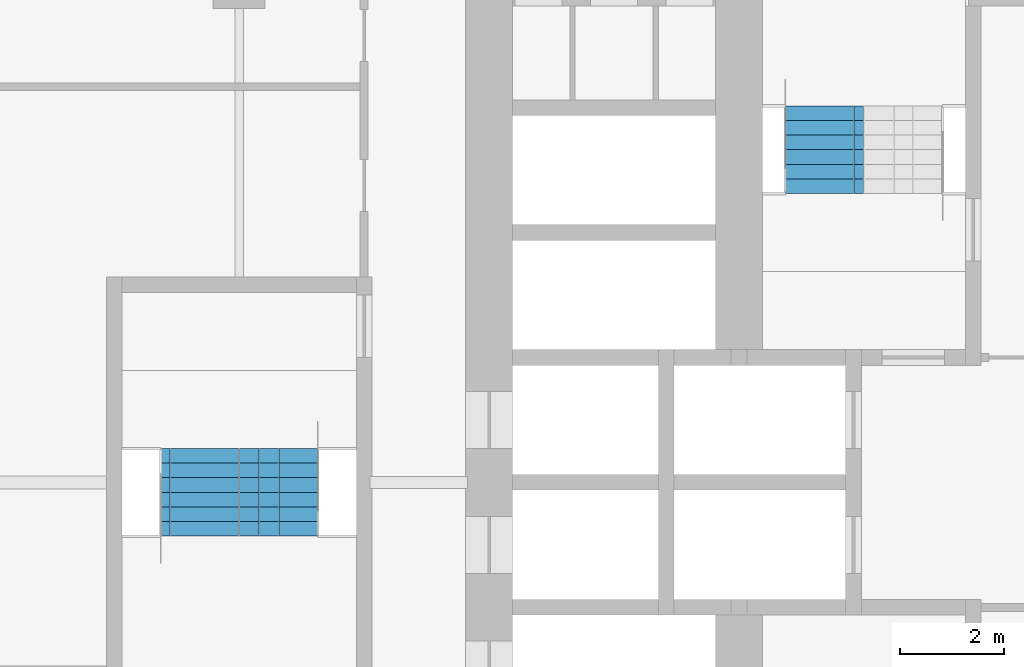
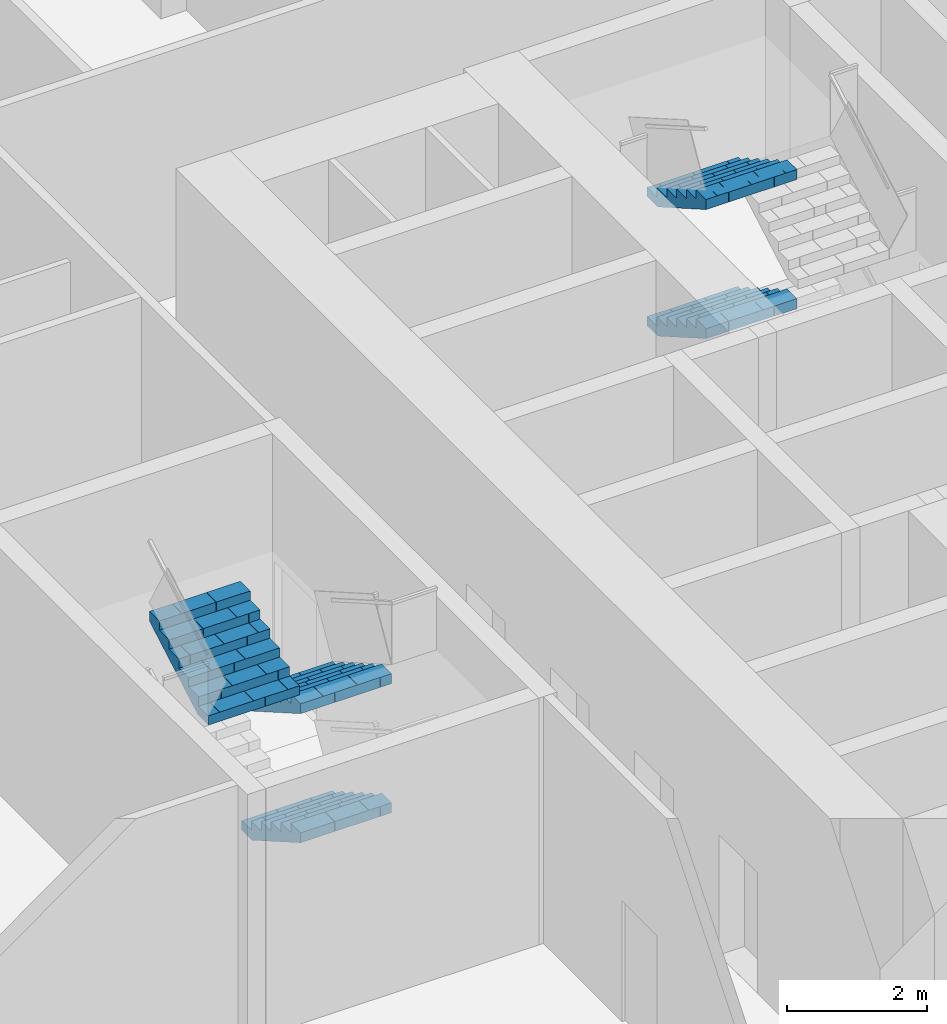
# One storey, part 20 of 25: 5 stair flights, 2 elements without a shape of their own.
"""IFC4 building model written with IfcOpenShell, lengths in metres."""

from ifc_helpers import new_model, si_unit, direction, frame, origin, place, context, subcontext, project, spatial, polyline, outline, extrude, material, type_object, element, aggregate, save


model = new_model("IFC4")

# Units and contexts
model_context = context("Model", 3, precision=1e-05, world=origin(), true_north=direction((0.0, 1.0)))
body_context = subcontext(model_context, "Body", "Model", "MODEL_VIEW")
ifc_project = project(units=[si_unit("LENGTHUNIT", "METRE"), si_unit("AREAUNIT", "SQUARE_METRE"), si_unit("VOLUMEUNIT", "CUBIC_METRE"), si_unit("PLANEANGLEUNIT", "RADIAN"), si_unit("MASSUNIT", "GRAM", prefix="KILO")], contexts=[model_context])

# Site, building, storey
site_placement = place(None, origin())
site = spatial("IfcSite", under=ifc_project, at=site_placement, CompositionType="ELEMENT")
building_placement = place(site_placement, origin())
building = spatial("IfcBuilding", under=site, at=building_placement, Name="Kolab Exchange Tower", CompositionType="ELEMENT")
storey_placement = place(building_placement, frame((0.0, 0.0, 91.39990234375)))
storey = spatial("IfcBuildingStorey", under=building, at=storey_placement, Name="L17", CompositionType="ELEMENT", Elevation=91.39990234375)

# Stair, stair flights
ifc_material = material(Name="Concrete C50/60", Category="concrete")
stair_type_1 = type_object("IfcStairType", Name="STAIR ST1 RISER 160.7", PredefinedType="DOUBLE_RETURN_STAIR", material=ifc_material)
stair_1_placement = place(storey_placement, origin())
stair_1 = element("IfcStair", 1, at=stair_1_placement, inside=storey, type_object=stair_type_1, Name="Stair 1", PredefinedType="DOUBLE_RETURN_STAIR")
stair_flight_type = type_object("IfcStairFlightType", Name="STAIR FLIGHT 1500 RISER 160.7", PredefinedType="STRAIGHT", material=ifc_material)
stair_flight_1_placement = place(storey_placement, frame((-7.9599609375, 7.22998046875, 1.125), z_axis=(0.0, 0.0, 1.0), x_axis=(0.0, -1.0, 0.0)))
stair_flight_1 = element("IfcStairFlight", 2, at=stair_flight_1_placement, type_object=stair_flight_type, Name="ST1 flight 2", NumberOfRisers=7, NumberOfTreads=6, PredefinedType="STRAIGHT", RiserHeight=0.160714286, TreadLength=0.28, context=body_context, shape_type="SweptSolid", body=[
    extrude(outline(polyline([(0.0, 0.0), (0.0, 0.16064453125), (0.280029296875, 0.16064453125), (0.280029296875, 0.321533203125), (0.56005859375, 0.321533203125), (0.56005859375, 0.482177734375), (0.840087890625, 0.482177734375), (0.840087890625, 0.642822265625), (1.1201171875, 0.642822265625), (1.1201171875, 0.803466796875), (1.39990234375, 0.803466796875), (1.39990234375, 0.96435546875), (1.679931640625, 0.96435546875), (1.679931640625, 1.125), (1.679931640625, 0.79150390625), (0.301025390625, 0.0), (0.0, 0.0)])), frame((0.0, 0.75, 0.0), z_axis=(0.0, -1.0, 0.0), x_axis=(1.0, 0.0, 0.0)), (0.0, 0.0, 1.0), 0.185791015625),
    extrude(outline(polyline([(0.0, 0.0), (0.0, 0.16064453125), (0.280029296875, 0.16064453125), (0.280029296875, 0.321533203125), (0.56005859375, 0.321533203125), (0.56005859375, 0.482177734375), (0.840087890625, 0.482177734375), (0.840087890625, 0.642822265625), (1.1201171875, 0.642822265625), (1.1201171875, 0.803466796875), (1.39990234375, 0.803466796875), (1.39990234375, 0.96435546875), (1.679931640625, 0.96435546875), (1.679931640625, 1.125), (1.679931640625, 0.79150390625), (0.301025390625, 0.0), (0.0, 0.0)])), frame((0.0, 0.562255859375, 0.0), z_axis=(0.0, -1.0, 0.0), x_axis=(1.0, 0.0, 0.0)), (0.0, 0.0, 1.0), 0.185791015625),
    extrude(outline(polyline([(0.0, 0.0), (0.0, 0.16064453125), (0.280029296875, 0.16064453125), (0.280029296875, 0.321533203125), (0.56005859375, 0.321533203125), (0.56005859375, 0.482177734375), (0.840087890625, 0.482177734375), (0.840087890625, 0.642822265625), (1.1201171875, 0.642822265625), (1.1201171875, 0.803466796875), (1.39990234375, 0.803466796875), (1.39990234375, 0.96435546875), (1.679931640625, 0.96435546875), (1.679931640625, 1.125), (1.679931640625, 0.79150390625), (0.301025390625, 0.0), (0.0, 0.0)])), frame((0.0, 0.37451171875, 0.0), z_axis=(0.0, -1.0, 0.0), x_axis=(1.0, 0.0, 0.0)), (0.0, 0.0, 1.0), 0.185791015625),
    extrude(outline(polyline([(0.0, 0.0), (0.0, 0.16064453125), (0.280029296875, 0.16064453125), (0.280029296875, 0.321533203125), (0.56005859375, 0.321533203125), (0.56005859375, 0.482177734375), (0.840087890625, 0.482177734375), (0.840087890625, 0.642822265625), (1.1201171875, 0.642822265625), (1.1201171875, 0.803466796875), (1.39990234375, 0.803466796875), (1.39990234375, 0.96435546875), (1.679931640625, 0.96435546875), (1.679931640625, 1.125), (1.679931640625, 0.79150390625), (0.301025390625, 0.0), (0.0, 0.0)])), frame((0.0, 0.186767578125, 0.0), z_axis=(0.0, -1.0, 0.0), x_axis=(1.0, 0.0, 0.0)), (0.0, 0.0, 1.0), 0.185791015625),
    extrude(outline(polyline([(0.0, 0.0), (0.0, 0.16064453125), (0.280029296875, 0.16064453125), (0.280029296875, 0.321533203125), (0.56005859375, 0.321533203125), (0.56005859375, 0.482177734375), (0.840087890625, 0.482177734375), (0.840087890625, 0.642822265625), (1.1201171875, 0.642822265625), (1.1201171875, 0.803466796875), (1.39990234375, 0.803466796875), (1.39990234375, 0.96435546875), (1.679931640625, 0.96435546875), (1.679931640625, 1.125), (1.679931640625, 0.79150390625), (0.301025390625, 0.0), (0.0, 0.0)])), frame((0.0, -0.0009765625, 0.0), z_axis=(0.0, -1.0, 0.0), x_axis=(1.0, 0.0, 0.0)), (0.0, 0.0, 1.0), 0.185791015625),
    extrude(outline(polyline([(0.0, 0.0), (0.0, 0.16064453125), (0.280029296875, 0.16064453125), (0.280029296875, 0.321533203125), (0.56005859375, 0.321533203125), (0.56005859375, 0.482177734375), (0.840087890625, 0.482177734375), (0.840087890625, 0.642822265625), (1.1201171875, 0.642822265625), (1.1201171875, 0.803466796875), (1.39990234375, 0.803466796875), (1.39990234375, 0.96435546875), (1.679931640625, 0.96435546875), (1.679931640625, 1.125), (1.679931640625, 0.79150390625), (0.301025390625, 0.0), (0.0, 0.0)])), frame((0.0, -0.188720703125, 0.0), z_axis=(0.0, -1.0, 0.0), x_axis=(1.0, 0.0, 0.0)), (0.0, 0.0, 1.0), 0.185791015625),
    extrude(outline(polyline([(0.0, 0.0), (0.0, 0.16064453125), (0.280029296875, 0.16064453125), (0.280029296875, 0.321533203125), (0.56005859375, 0.321533203125), (0.56005859375, 0.482177734375), (0.840087890625, 0.482177734375), (0.840087890625, 0.642822265625), (1.1201171875, 0.642822265625), (1.1201171875, 0.803466796875), (1.39990234375, 0.803466796875), (1.39990234375, 0.96435546875), (1.679931640625, 0.96435546875), (1.679931640625, 1.125), (1.679931640625, 0.79150390625), (0.301025390625, 0.0), (0.0, 0.0)])), frame((0.0, -0.37646484375, 0.0), z_axis=(0.0, -1.0, 0.0), x_axis=(1.0, 0.0, 0.0)), (0.0, 0.0, 1.0), 0.185791015625),
    extrude(outline(polyline([(0.0, 0.0), (0.0, 0.16064453125), (0.280029296875, 0.16064453125), (0.280029296875, 0.321533203125), (0.56005859375, 0.321533203125), (0.56005859375, 0.482177734375), (0.840087890625, 0.482177734375), (0.840087890625, 0.642822265625), (1.1201171875, 0.642822265625), (1.1201171875, 0.803466796875), (1.39990234375, 0.803466796875), (1.39990234375, 0.96435546875), (1.679931640625, 0.96435546875), (1.679931640625, 1.125), (1.679931640625, 0.79150390625), (0.301025390625, 0.0), (0.0, 0.0)])), frame((0.0, -0.564208984375, 0.0), z_axis=(0.0, -1.0, 0.0), x_axis=(1.0, 0.0, 0.0)), (0.0, 0.0, 1.0), 0.185791015625),
])
stair_flight_2_placement = place(storey_placement, frame((-7.9599609375, 7.22998046875, 3.375), z_axis=(0.0, 0.0, 1.0), x_axis=(0.0, -1.0, 0.0)))
stair_flight_2 = element("IfcStairFlight", 3, at=stair_flight_2_placement, type_object=stair_flight_type, Name="ST1 flight 4", NumberOfRisers=7, NumberOfTreads=6, PredefinedType="STRAIGHT", RiserHeight=0.160714286, TreadLength=0.28, context=body_context, shape_type="SweptSolid", body=[
    extrude(outline(polyline([(0.0, 0.0), (0.0, 0.16064453125), (0.280029296875, 0.16064453125), (0.280029296875, 0.321533203125), (0.56005859375, 0.321533203125), (0.56005859375, 0.482177734375), (0.840087890625, 0.482177734375), (0.840087890625, 0.642822265625), (1.1201171875, 0.642822265625), (1.1201171875, 0.803466796875), (1.39990234375, 0.803466796875), (1.39990234375, 0.96435546875), (1.679931640625, 0.96435546875), (1.679931640625, 1.125), (1.679931640625, 0.79150390625), (0.301025390625, 0.0), (0.0, 0.0)])), frame((0.0, 0.75, 0.0), z_axis=(0.0, -1.0, 0.0), x_axis=(1.0, 0.0, 0.0)), (0.0, 0.0, 1.0), 0.185791015625),
    extrude(outline(polyline([(0.0, 0.0), (0.0, 0.16064453125), (0.280029296875, 0.16064453125), (0.280029296875, 0.321533203125), (0.56005859375, 0.321533203125), (0.56005859375, 0.482177734375), (0.840087890625, 0.482177734375), (0.840087890625, 0.642822265625), (1.1201171875, 0.642822265625), (1.1201171875, 0.803466796875), (1.39990234375, 0.803466796875), (1.39990234375, 0.96435546875), (1.679931640625, 0.96435546875), (1.679931640625, 1.125), (1.679931640625, 0.79150390625), (0.301025390625, 0.0), (0.0, 0.0)])), frame((0.0, 0.562255859375, 0.0), z_axis=(0.0, -1.0, 0.0), x_axis=(1.0, 0.0, 0.0)), (0.0, 0.0, 1.0), 0.185791015625),
    extrude(outline(polyline([(0.0, 0.0), (0.0, 0.16064453125), (0.280029296875, 0.16064453125), (0.280029296875, 0.321533203125), (0.56005859375, 0.321533203125), (0.56005859375, 0.482177734375), (0.840087890625, 0.482177734375), (0.840087890625, 0.642822265625), (1.1201171875, 0.642822265625), (1.1201171875, 0.803466796875), (1.39990234375, 0.803466796875), (1.39990234375, 0.96435546875), (1.679931640625, 0.96435546875), (1.679931640625, 1.125), (1.679931640625, 0.79150390625), (0.301025390625, 0.0), (0.0, 0.0)])), frame((0.0, 0.37451171875, 0.0), z_axis=(0.0, -1.0, 0.0), x_axis=(1.0, 0.0, 0.0)), (0.0, 0.0, 1.0), 0.185791015625),
    extrude(outline(polyline([(0.0, 0.0), (0.0, 0.16064453125), (0.280029296875, 0.16064453125), (0.280029296875, 0.321533203125), (0.56005859375, 0.321533203125), (0.56005859375, 0.482177734375), (0.840087890625, 0.482177734375), (0.840087890625, 0.642822265625), (1.1201171875, 0.642822265625), (1.1201171875, 0.803466796875), (1.39990234375, 0.803466796875), (1.39990234375, 0.96435546875), (1.679931640625, 0.96435546875), (1.679931640625, 1.125), (1.679931640625, 0.79150390625), (0.301025390625, 0.0), (0.0, 0.0)])), frame((0.0, 0.186767578125, 0.0), z_axis=(0.0, -1.0, 0.0), x_axis=(1.0, 0.0, 0.0)), (0.0, 0.0, 1.0), 0.185791015625),
    extrude(outline(polyline([(0.0, 0.0), (0.0, 0.16064453125), (0.280029296875, 0.16064453125), (0.280029296875, 0.321533203125), (0.56005859375, 0.321533203125), (0.56005859375, 0.482177734375), (0.840087890625, 0.482177734375), (0.840087890625, 0.642822265625), (1.1201171875, 0.642822265625), (1.1201171875, 0.803466796875), (1.39990234375, 0.803466796875), (1.39990234375, 0.96435546875), (1.679931640625, 0.96435546875), (1.679931640625, 1.125), (1.679931640625, 0.79150390625), (0.301025390625, 0.0), (0.0, 0.0)])), frame((0.0, -0.0009765625, 0.0), z_axis=(0.0, -1.0, 0.0), x_axis=(1.0, 0.0, 0.0)), (0.0, 0.0, 1.0), 0.185791015625),
    extrude(outline(polyline([(0.0, 0.0), (0.0, 0.16064453125), (0.280029296875, 0.16064453125), (0.280029296875, 0.321533203125), (0.56005859375, 0.321533203125), (0.56005859375, 0.482177734375), (0.840087890625, 0.482177734375), (0.840087890625, 0.642822265625), (1.1201171875, 0.642822265625), (1.1201171875, 0.803466796875), (1.39990234375, 0.803466796875), (1.39990234375, 0.96435546875), (1.679931640625, 0.96435546875), (1.679931640625, 1.125), (1.679931640625, 0.79150390625), (0.301025390625, 0.0), (0.0, 0.0)])), frame((0.0, -0.188720703125, 0.0), z_axis=(0.0, -1.0, 0.0), x_axis=(1.0, 0.0, 0.0)), (0.0, 0.0, 1.0), 0.185791015625),
    extrude(outline(polyline([(0.0, 0.0), (0.0, 0.16064453125), (0.280029296875, 0.16064453125), (0.280029296875, 0.321533203125), (0.56005859375, 0.321533203125), (0.56005859375, 0.482177734375), (0.840087890625, 0.482177734375), (0.840087890625, 0.642822265625), (1.1201171875, 0.642822265625), (1.1201171875, 0.803466796875), (1.39990234375, 0.803466796875), (1.39990234375, 0.96435546875), (1.679931640625, 0.96435546875), (1.679931640625, 1.125), (1.679931640625, 0.79150390625), (0.301025390625, 0.0), (0.0, 0.0)])), frame((0.0, -0.37646484375, 0.0), z_axis=(0.0, -1.0, 0.0), x_axis=(1.0, 0.0, 0.0)), (0.0, 0.0, 1.0), 0.185791015625),
    extrude(outline(polyline([(0.0, 0.0), (0.0, 0.16064453125), (0.280029296875, 0.16064453125), (0.280029296875, 0.321533203125), (0.56005859375, 0.321533203125), (0.56005859375, 0.482177734375), (0.840087890625, 0.482177734375), (0.840087890625, 0.642822265625), (1.1201171875, 0.642822265625), (1.1201171875, 0.803466796875), (1.39990234375, 0.803466796875), (1.39990234375, 0.96435546875), (1.679931640625, 0.96435546875), (1.679931640625, 1.125), (1.679931640625, 0.79150390625), (0.301025390625, 0.0), (0.0, 0.0)])), frame((0.0, -0.564208984375, 0.0), z_axis=(0.0, -1.0, 0.0), x_axis=(1.0, 0.0, 0.0)), (0.0, 0.0, 1.0), 0.185791015625),
])
aggregate(stair_1, [stair_flight_1, stair_flight_2])

stair_type_2 = type_object("IfcStairType", Name="STAIR ST5 RISER 160.7", PredefinedType="DOUBLE_RETURN_STAIR", material=ifc_material)
stair_2_placement = place(storey_placement, origin())
stair_2 = element("IfcStair", 4, at=stair_2_placement, inside=storey, type_object=stair_type_2, Name="Stair 5", PredefinedType="DOUBLE_RETURN_STAIR")
stair_flight_3_placement = place(storey_placement, frame((-18.43994140625, 0.64990234375, 0.0), z_axis=(0.0, 0.0, 1.0), x_axis=(0.0, -1.0, 0.0)))
stair_flight_3 = element("IfcStairFlight", 5, at=stair_flight_3_placement, type_object=stair_flight_type, Name="ST5 flight 1", NumberOfRisers=7, NumberOfTreads=6, PredefinedType="STRAIGHT", RiserHeight=0.160714286, TreadLength=0.28, context=body_context, shape_type="SweptSolid", body=[
    extrude(outline(polyline([(0.0, 0.0), (0.0, 0.16064453125), (0.280029296875, 0.16064453125), (0.280029296875, 0.321533203125), (0.56005859375, 0.321533203125), (0.56005859375, 0.482177734375), (0.840087890625, 0.482177734375), (0.840087890625, 0.642822265625), (1.1201171875, 0.642822265625), (1.1201171875, 0.803466796875), (1.39990234375, 0.803466796875), (1.39990234375, 0.96435546875), (1.679931640625, 0.96435546875), (1.679931640625, 1.125), (1.679931640625, 0.79150390625), (0.301025390625, 0.0), (0.0, 0.0)])), frame((0.0, 0.75, 0.0), z_axis=(0.0, -1.0, 0.0), x_axis=(1.0, 0.0, 0.0)), (0.0, 0.0, 1.0), 0.185791015625),
    extrude(outline(polyline([(0.0, 0.0), (0.0, 0.16064453125), (0.280029296875, 0.16064453125), (0.280029296875, 0.321533203125), (0.56005859375, 0.321533203125), (0.56005859375, 0.482177734375), (0.840087890625, 0.482177734375), (0.840087890625, 0.642822265625), (1.1201171875, 0.642822265625), (1.1201171875, 0.803466796875), (1.39990234375, 0.803466796875), (1.39990234375, 0.96435546875), (1.679931640625, 0.96435546875), (1.679931640625, 1.125), (1.679931640625, 0.79150390625), (0.301025390625, 0.0), (0.0, 0.0)])), frame((0.0, 0.562255859375, 0.0), z_axis=(0.0, -1.0, 0.0), x_axis=(1.0, 0.0, 0.0)), (0.0, 0.0, 1.0), 0.185791015625),
    extrude(outline(polyline([(0.0, 0.0), (0.0, 0.16064453125), (0.280029296875, 0.16064453125), (0.280029296875, 0.321533203125), (0.56005859375, 0.321533203125), (0.56005859375, 0.482177734375), (0.840087890625, 0.482177734375), (0.840087890625, 0.642822265625), (1.1201171875, 0.642822265625), (1.1201171875, 0.803466796875), (1.39990234375, 0.803466796875), (1.39990234375, 0.96435546875), (1.679931640625, 0.96435546875), (1.679931640625, 1.125), (1.679931640625, 0.79150390625), (0.301025390625, 0.0), (0.0, 0.0)])), frame((0.0, 0.37451171875, 0.0), z_axis=(0.0, -1.0, 0.0), x_axis=(1.0, 0.0, 0.0)), (0.0, 0.0, 1.0), 0.185791015625),
    extrude(outline(polyline([(0.0, 0.0), (0.0, 0.16064453125), (0.280029296875, 0.16064453125), (0.280029296875, 0.321533203125), (0.56005859375, 0.321533203125), (0.56005859375, 0.482177734375), (0.840087890625, 0.482177734375), (0.840087890625, 0.642822265625), (1.1201171875, 0.642822265625), (1.1201171875, 0.803466796875), (1.39990234375, 0.803466796875), (1.39990234375, 0.96435546875), (1.679931640625, 0.96435546875), (1.679931640625, 1.125), (1.679931640625, 0.79150390625), (0.301025390625, 0.0), (0.0, 0.0)])), frame((0.0, 0.186767578125, 0.0), z_axis=(0.0, -1.0, 0.0), x_axis=(1.0, 0.0, 0.0)), (0.0, 0.0, 1.0), 0.185791015625),
    extrude(outline(polyline([(0.0, 0.0), (0.0, 0.16064453125), (0.280029296875, 0.16064453125), (0.280029296875, 0.321533203125), (0.56005859375, 0.321533203125), (0.56005859375, 0.482177734375), (0.840087890625, 0.482177734375), (0.840087890625, 0.642822265625), (1.1201171875, 0.642822265625), (1.1201171875, 0.803466796875), (1.39990234375, 0.803466796875), (1.39990234375, 0.96435546875), (1.679931640625, 0.96435546875), (1.679931640625, 1.125), (1.679931640625, 0.79150390625), (0.301025390625, 0.0), (0.0, 0.0)])), frame((0.0, -0.0009765625, 0.0), z_axis=(0.0, -1.0, 0.0), x_axis=(1.0, 0.0, 0.0)), (0.0, 0.0, 1.0), 0.185791015625),
    extrude(outline(polyline([(0.0, 0.0), (0.0, 0.16064453125), (0.280029296875, 0.16064453125), (0.280029296875, 0.321533203125), (0.56005859375, 0.321533203125), (0.56005859375, 0.482177734375), (0.840087890625, 0.482177734375), (0.840087890625, 0.642822265625), (1.1201171875, 0.642822265625), (1.1201171875, 0.803466796875), (1.39990234375, 0.803466796875), (1.39990234375, 0.96435546875), (1.679931640625, 0.96435546875), (1.679931640625, 1.125), (1.679931640625, 0.79150390625), (0.301025390625, 0.0), (0.0, 0.0)])), frame((0.0, -0.188720703125, 0.0), z_axis=(0.0, -1.0, 0.0), x_axis=(1.0, 0.0, 0.0)), (0.0, 0.0, 1.0), 0.185791015625),
    extrude(outline(polyline([(0.0, 0.0), (0.0, 0.16064453125), (0.280029296875, 0.16064453125), (0.280029296875, 0.321533203125), (0.56005859375, 0.321533203125), (0.56005859375, 0.482177734375), (0.840087890625, 0.482177734375), (0.840087890625, 0.642822265625), (1.1201171875, 0.642822265625), (1.1201171875, 0.803466796875), (1.39990234375, 0.803466796875), (1.39990234375, 0.96435546875), (1.679931640625, 0.96435546875), (1.679931640625, 1.125), (1.679931640625, 0.79150390625), (0.301025390625, 0.0), (0.0, 0.0)])), frame((0.0, -0.37646484375, 0.0), z_axis=(0.0, -1.0, 0.0), x_axis=(1.0, 0.0, 0.0)), (0.0, 0.0, 1.0), 0.185791015625),
    extrude(outline(polyline([(0.0, 0.0), (0.0, 0.16064453125), (0.280029296875, 0.16064453125), (0.280029296875, 0.321533203125), (0.56005859375, 0.321533203125), (0.56005859375, 0.482177734375), (0.840087890625, 0.482177734375), (0.840087890625, 0.642822265625), (1.1201171875, 0.642822265625), (1.1201171875, 0.803466796875), (1.39990234375, 0.803466796875), (1.39990234375, 0.96435546875), (1.679931640625, 0.96435546875), (1.679931640625, 1.125), (1.679931640625, 0.79150390625), (0.301025390625, 0.0), (0.0, 0.0)])), frame((0.0, -0.564208984375, 0.0), z_axis=(0.0, -1.0, 0.0), x_axis=(1.0, 0.0, 0.0)), (0.0, 0.0, 1.0), 0.185791015625),
])
stair_flight_4_placement = place(storey_placement, frame((-18.43994140625, 0.64990234375, 2.25), z_axis=(0.0, 0.0, 1.0), x_axis=(0.0, -1.0, 0.0)))
stair_flight_4 = element("IfcStairFlight", 6, at=stair_flight_4_placement, type_object=stair_flight_type, Name="ST5 flight 3", NumberOfRisers=7, NumberOfTreads=6, PredefinedType="STRAIGHT", RiserHeight=0.160714286, TreadLength=0.28, context=body_context, shape_type="SweptSolid", body=[
    extrude(outline(polyline([(0.0, 0.0), (0.0, 0.16064453125), (0.280029296875, 0.16064453125), (0.280029296875, 0.321533203125), (0.56005859375, 0.321533203125), (0.56005859375, 0.482177734375), (0.840087890625, 0.482177734375), (0.840087890625, 0.642822265625), (1.1201171875, 0.642822265625), (1.1201171875, 0.803466796875), (1.39990234375, 0.803466796875), (1.39990234375, 0.96435546875), (1.679931640625, 0.96435546875), (1.679931640625, 1.125), (1.679931640625, 0.79150390625), (0.301025390625, 0.0), (0.0, 0.0)])), frame((0.0, 0.75, 0.0), z_axis=(0.0, -1.0, 0.0), x_axis=(1.0, 0.0, 0.0)), (0.0, 0.0, 1.0), 0.185791015625),
    extrude(outline(polyline([(0.0, 0.0), (0.0, 0.16064453125), (0.280029296875, 0.16064453125), (0.280029296875, 0.321533203125), (0.56005859375, 0.321533203125), (0.56005859375, 0.482177734375), (0.840087890625, 0.482177734375), (0.840087890625, 0.642822265625), (1.1201171875, 0.642822265625), (1.1201171875, 0.803466796875), (1.39990234375, 0.803466796875), (1.39990234375, 0.96435546875), (1.679931640625, 0.96435546875), (1.679931640625, 1.125), (1.679931640625, 0.79150390625), (0.301025390625, 0.0), (0.0, 0.0)])), frame((0.0, 0.562255859375, 0.0), z_axis=(0.0, -1.0, 0.0), x_axis=(1.0, 0.0, 0.0)), (0.0, 0.0, 1.0), 0.185791015625),
    extrude(outline(polyline([(0.0, 0.0), (0.0, 0.16064453125), (0.280029296875, 0.16064453125), (0.280029296875, 0.321533203125), (0.56005859375, 0.321533203125), (0.56005859375, 0.482177734375), (0.840087890625, 0.482177734375), (0.840087890625, 0.642822265625), (1.1201171875, 0.642822265625), (1.1201171875, 0.803466796875), (1.39990234375, 0.803466796875), (1.39990234375, 0.96435546875), (1.679931640625, 0.96435546875), (1.679931640625, 1.125), (1.679931640625, 0.79150390625), (0.301025390625, 0.0), (0.0, 0.0)])), frame((0.0, 0.37451171875, 0.0), z_axis=(0.0, -1.0, 0.0), x_axis=(1.0, 0.0, 0.0)), (0.0, 0.0, 1.0), 0.185791015625),
    extrude(outline(polyline([(0.0, 0.0), (0.0, 0.16064453125), (0.280029296875, 0.16064453125), (0.280029296875, 0.321533203125), (0.56005859375, 0.321533203125), (0.56005859375, 0.482177734375), (0.840087890625, 0.482177734375), (0.840087890625, 0.642822265625), (1.1201171875, 0.642822265625), (1.1201171875, 0.803466796875), (1.39990234375, 0.803466796875), (1.39990234375, 0.96435546875), (1.679931640625, 0.96435546875), (1.679931640625, 1.125), (1.679931640625, 0.79150390625), (0.301025390625, 0.0), (0.0, 0.0)])), frame((0.0, 0.186767578125, 0.0), z_axis=(0.0, -1.0, 0.0), x_axis=(1.0, 0.0, 0.0)), (0.0, 0.0, 1.0), 0.185791015625),
    extrude(outline(polyline([(0.0, 0.0), (0.0, 0.16064453125), (0.280029296875, 0.16064453125), (0.280029296875, 0.321533203125), (0.56005859375, 0.321533203125), (0.56005859375, 0.482177734375), (0.840087890625, 0.482177734375), (0.840087890625, 0.642822265625), (1.1201171875, 0.642822265625), (1.1201171875, 0.803466796875), (1.39990234375, 0.803466796875), (1.39990234375, 0.96435546875), (1.679931640625, 0.96435546875), (1.679931640625, 1.125), (1.679931640625, 0.79150390625), (0.301025390625, 0.0), (0.0, 0.0)])), frame((0.0, -0.0009765625, 0.0), z_axis=(0.0, -1.0, 0.0), x_axis=(1.0, 0.0, 0.0)), (0.0, 0.0, 1.0), 0.185791015625),
    extrude(outline(polyline([(0.0, 0.0), (0.0, 0.16064453125), (0.280029296875, 0.16064453125), (0.280029296875, 0.321533203125), (0.56005859375, 0.321533203125), (0.56005859375, 0.482177734375), (0.840087890625, 0.482177734375), (0.840087890625, 0.642822265625), (1.1201171875, 0.642822265625), (1.1201171875, 0.803466796875), (1.39990234375, 0.803466796875), (1.39990234375, 0.96435546875), (1.679931640625, 0.96435546875), (1.679931640625, 1.125), (1.679931640625, 0.79150390625), (0.301025390625, 0.0), (0.0, 0.0)])), frame((0.0, -0.188720703125, 0.0), z_axis=(0.0, -1.0, 0.0), x_axis=(1.0, 0.0, 0.0)), (0.0, 0.0, 1.0), 0.185791015625),
    extrude(outline(polyline([(0.0, 0.0), (0.0, 0.16064453125), (0.280029296875, 0.16064453125), (0.280029296875, 0.321533203125), (0.56005859375, 0.321533203125), (0.56005859375, 0.482177734375), (0.840087890625, 0.482177734375), (0.840087890625, 0.642822265625), (1.1201171875, 0.642822265625), (1.1201171875, 0.803466796875), (1.39990234375, 0.803466796875), (1.39990234375, 0.96435546875), (1.679931640625, 0.96435546875), (1.679931640625, 1.125), (1.679931640625, 0.79150390625), (0.301025390625, 0.0), (0.0, 0.0)])), frame((0.0, -0.37646484375, 0.0), z_axis=(0.0, -1.0, 0.0), x_axis=(1.0, 0.0, 0.0)), (0.0, 0.0, 1.0), 0.185791015625),
    extrude(outline(polyline([(0.0, 0.0), (0.0, 0.16064453125), (0.280029296875, 0.16064453125), (0.280029296875, 0.321533203125), (0.56005859375, 0.321533203125), (0.56005859375, 0.482177734375), (0.840087890625, 0.482177734375), (0.840087890625, 0.642822265625), (1.1201171875, 0.642822265625), (1.1201171875, 0.803466796875), (1.39990234375, 0.803466796875), (1.39990234375, 0.96435546875), (1.679931640625, 0.96435546875), (1.679931640625, 1.125), (1.679931640625, 0.79150390625), (0.301025390625, 0.0), (0.0, 0.0)])), frame((0.0, -0.564208984375, 0.0), z_axis=(0.0, -1.0, 0.0), x_axis=(1.0, 0.0, 0.0)), (0.0, 0.0, 1.0), 0.185791015625),
])
stair_flight_5_placement = place(storey_placement, frame((-19.9599609375, -1.030029296875, 3.375), z_axis=(0.0, 0.0, 1.0), x_axis=(0.0, 1.0, 0.0)))
stair_flight_5 = element("IfcStairFlight", 7, at=stair_flight_5_placement, type_object=stair_flight_type, Name="ST5 flight 4", NumberOfRisers=7, NumberOfTreads=6, PredefinedType="STRAIGHT", RiserHeight=0.160714286, TreadLength=0.28, context=body_context, shape_type="SweptSolid", body=[
    extrude(outline(polyline([(0.0, 0.0), (0.0, 0.16064453125), (0.280029296875, 0.16064453125), (0.280029296875, 0.321533203125), (0.56005859375, 0.321533203125), (0.56005859375, 0.482177734375), (0.840087890625, 0.482177734375), (0.840087890625, 0.642822265625), (1.1201171875, 0.642822265625), (1.1201171875, 0.803466796875), (1.39990234375, 0.803466796875), (1.39990234375, 0.96435546875), (1.679931640625, 0.96435546875), (1.679931640625, 1.125), (1.679931640625, 0.79150390625), (0.301025390625, 0.0), (0.0, 0.0)])), frame((0.0, 0.75, 0.0), z_axis=(0.0, -1.0, 0.0), x_axis=(1.0, 0.0, 0.0)), (0.0, 0.0, 1.0), 0.185791015625),
    extrude(outline(polyline([(0.0, 0.0), (0.0, 0.16064453125), (0.280029296875, 0.16064453125), (0.280029296875, 0.321533203125), (0.56005859375, 0.321533203125), (0.56005859375, 0.482177734375), (0.840087890625, 0.482177734375), (0.840087890625, 0.642822265625), (1.1201171875, 0.642822265625), (1.1201171875, 0.803466796875), (1.39990234375, 0.803466796875), (1.39990234375, 0.96435546875), (1.679931640625, 0.96435546875), (1.679931640625, 1.125), (1.679931640625, 0.79150390625), (0.301025390625, 0.0), (0.0, 0.0)])), frame((0.0, 0.562255859375, 0.0), z_axis=(0.0, -1.0, 0.0), x_axis=(1.0, 0.0, 0.0)), (0.0, 0.0, 1.0), 0.185791015625),
    extrude(outline(polyline([(0.0, 0.0), (0.0, 0.16064453125), (0.280029296875, 0.16064453125), (0.280029296875, 0.321533203125), (0.56005859375, 0.321533203125), (0.56005859375, 0.482177734375), (0.840087890625, 0.482177734375), (0.840087890625, 0.642822265625), (1.1201171875, 0.642822265625), (1.1201171875, 0.803466796875), (1.39990234375, 0.803466796875), (1.39990234375, 0.96435546875), (1.679931640625, 0.96435546875), (1.679931640625, 1.125), (1.679931640625, 0.79150390625), (0.301025390625, 0.0), (0.0, 0.0)])), frame((0.0, 0.37451171875, 0.0), z_axis=(0.0, -1.0, 0.0), x_axis=(1.0, 0.0, 0.0)), (0.0, 0.0, 1.0), 0.185791015625),
    extrude(outline(polyline([(0.0, 0.0), (0.0, 0.16064453125), (0.280029296875, 0.16064453125), (0.280029296875, 0.321533203125), (0.56005859375, 0.321533203125), (0.56005859375, 0.482177734375), (0.840087890625, 0.482177734375), (0.840087890625, 0.642822265625), (1.1201171875, 0.642822265625), (1.1201171875, 0.803466796875), (1.39990234375, 0.803466796875), (1.39990234375, 0.96435546875), (1.679931640625, 0.96435546875), (1.679931640625, 1.125), (1.679931640625, 0.79150390625), (0.301025390625, 0.0), (0.0, 0.0)])), frame((0.0, 0.186767578125, 0.0), z_axis=(0.0, -1.0, 0.0), x_axis=(1.0, 0.0, 0.0)), (0.0, 0.0, 1.0), 0.185791015625),
    extrude(outline(polyline([(0.0, 0.0), (0.0, 0.16064453125), (0.280029296875, 0.16064453125), (0.280029296875, 0.321533203125), (0.56005859375, 0.321533203125), (0.56005859375, 0.482177734375), (0.840087890625, 0.482177734375), (0.840087890625, 0.642822265625), (1.1201171875, 0.642822265625), (1.1201171875, 0.803466796875), (1.39990234375, 0.803466796875), (1.39990234375, 0.96435546875), (1.679931640625, 0.96435546875), (1.679931640625, 1.125), (1.679931640625, 0.79150390625), (0.301025390625, 0.0), (0.0, 0.0)])), frame((0.0, -0.0009765625, 0.0), z_axis=(0.0, -1.0, 0.0), x_axis=(1.0, 0.0, 0.0)), (0.0, 0.0, 1.0), 0.185791015625),
    extrude(outline(polyline([(0.0, 0.0), (0.0, 0.16064453125), (0.280029296875, 0.16064453125), (0.280029296875, 0.321533203125), (0.56005859375, 0.321533203125), (0.56005859375, 0.482177734375), (0.840087890625, 0.482177734375), (0.840087890625, 0.642822265625), (1.1201171875, 0.642822265625), (1.1201171875, 0.803466796875), (1.39990234375, 0.803466796875), (1.39990234375, 0.96435546875), (1.679931640625, 0.96435546875), (1.679931640625, 1.125), (1.679931640625, 0.79150390625), (0.301025390625, 0.0), (0.0, 0.0)])), frame((0.0, -0.188720703125, 0.0), z_axis=(0.0, -1.0, 0.0), x_axis=(1.0, 0.0, 0.0)), (0.0, 0.0, 1.0), 0.185791015625),
    extrude(outline(polyline([(0.0, 0.0), (0.0, 0.16064453125), (0.280029296875, 0.16064453125), (0.280029296875, 0.321533203125), (0.56005859375, 0.321533203125), (0.56005859375, 0.482177734375), (0.840087890625, 0.482177734375), (0.840087890625, 0.642822265625), (1.1201171875, 0.642822265625), (1.1201171875, 0.803466796875), (1.39990234375, 0.803466796875), (1.39990234375, 0.96435546875), (1.679931640625, 0.96435546875), (1.679931640625, 1.125), (1.679931640625, 0.79150390625), (0.301025390625, 0.0), (0.0, 0.0)])), frame((0.0, -0.37646484375, 0.0), z_axis=(0.0, -1.0, 0.0), x_axis=(1.0, 0.0, 0.0)), (0.0, 0.0, 1.0), 0.185791015625),
    extrude(outline(polyline([(0.0, 0.0), (0.0, 0.16064453125), (0.280029296875, 0.16064453125), (0.280029296875, 0.321533203125), (0.56005859375, 0.321533203125), (0.56005859375, 0.482177734375), (0.840087890625, 0.482177734375), (0.840087890625, 0.642822265625), (1.1201171875, 0.642822265625), (1.1201171875, 0.803466796875), (1.39990234375, 0.803466796875), (1.39990234375, 0.96435546875), (1.679931640625, 0.96435546875), (1.679931640625, 1.125), (1.679931640625, 0.79150390625), (0.301025390625, 0.0), (0.0, 0.0)])), frame((0.0, -0.564208984375, 0.0), z_axis=(0.0, -1.0, 0.0), x_axis=(1.0, 0.0, 0.0)), (0.0, 0.0, 1.0), 0.185791015625),
])
aggregate(stair_2, [stair_flight_3, stair_flight_4, stair_flight_5])

save(model, "model.ifc")
